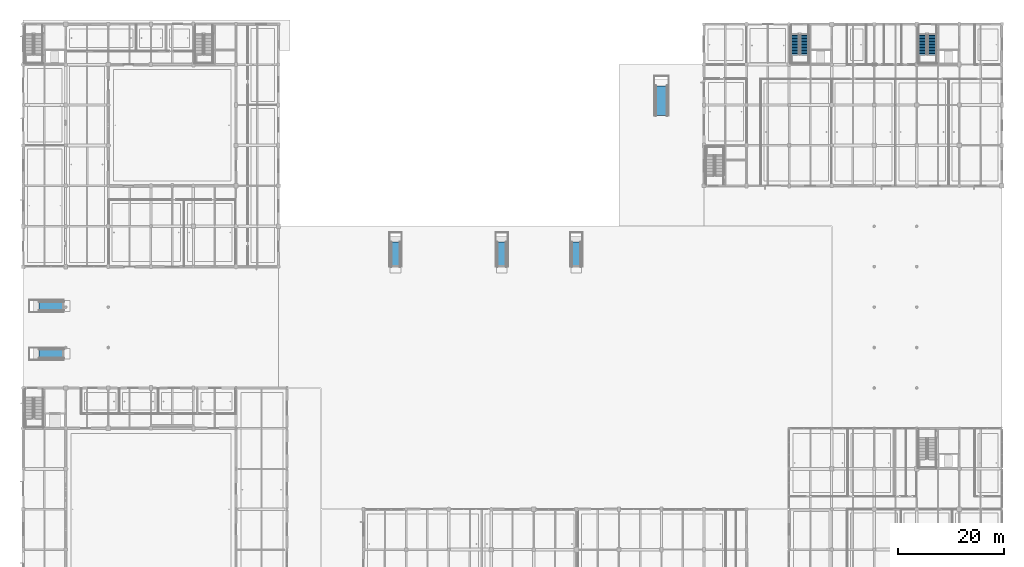
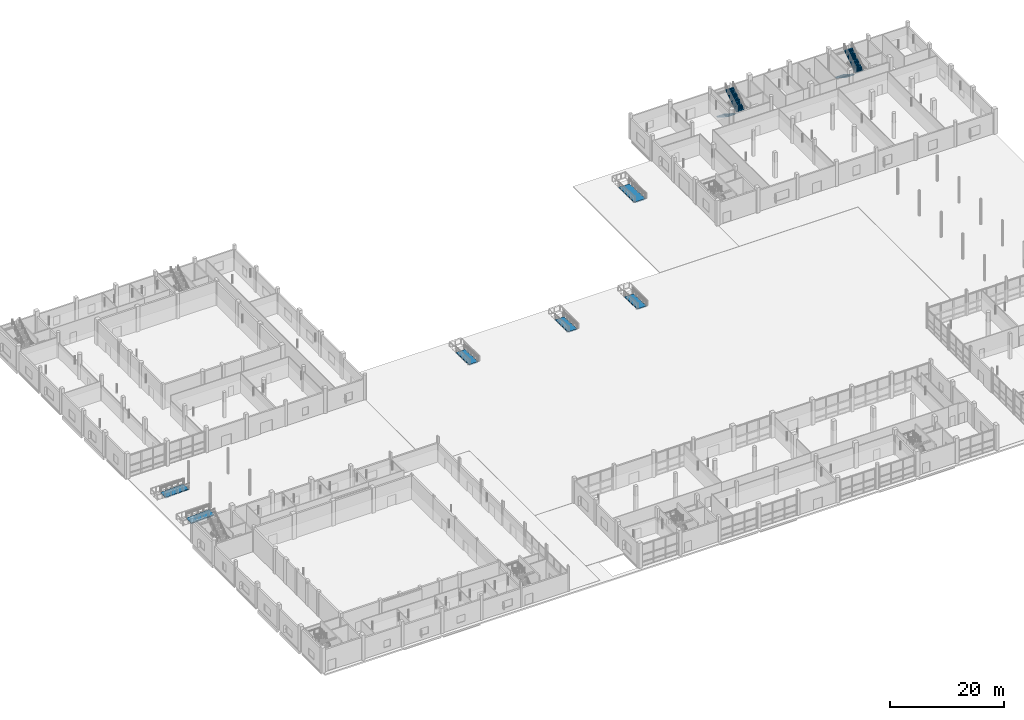
# One storey, part 73 of 126: 6 ramp flights, 4 stair flights, 8 elements without a shape of their own.
"""IFC4 building model written with IfcOpenShell, lengths in metres."""

import ifcopenshell
import ifcopenshell.guid

model = None  # the IFC model being written
_history = None  # IfcOwnerHistory: only IFC2X3 demands one
_inside = {}  # id of a spatial element -> (the spatial element, [elements in it])
_under = {}  # id of a project, library or spatial element -> (it, [spatial elements below it])
_declared = {}  # id of a project -> (the project, [libraries it declares])
_typed = {}  # id of a type object -> (the type object, [elements of that type])
_made_of = {}  # id of a material, layer set ... -> (it, [elements and type objects made of it])


def new_model(schema):
    """Start an empty IFC model of exactly this schema.

    Asked for "IFC4X3", IfcOpenShell would pick the latest addendum, in which some entities
    have other attributes; the version numbers below select the first issue.
    IFC2X3 requires an IfcOwnerHistory on every rooted entity: one is made here for all.
    """
    global model, _history
    if schema == "IFC4X3":
        model = ifcopenshell.file(schema_version=(4, 3, 0, 0))
    else:
        model = ifcopenshell.file(schema=schema)
    _inside.clear()
    _under.clear()
    _declared.clear()
    _typed.clear()
    _made_of.clear()
    _history = None
    if model.schema == "IFC2X3":
        org = make("IfcOrganization", Name="unknown")
        user = make(
            "IfcPersonAndOrganization",
            ThePerson=make("IfcPerson", FamilyName="unknown"),
            TheOrganization=org,
        )
        app = make(
            "IfcApplication",
            ApplicationDeveloper=org,
            Version="unknown",
            ApplicationFullName="unknown",
            ApplicationIdentifier="unknown",
        )
        _history = make(
            "IfcOwnerHistory",
            OwningUser=user,
            OwningApplication=app,
            ChangeAction="ADDED",
            CreationDate=0,
        )
    return model


def make(cls, **values):
    """One entity of the class cls with the attributes given. An attribute that is None is left unset."""
    return model.create_entity(
        cls, **{name: value for name, value in values.items() if value is not None}
    )


def rooted(cls, **values):
    """An entity with a GlobalId (a new one), such as an element, a storey or a relation."""
    return make(cls, GlobalId=ifcopenshell.guid.new(), OwnerHistory=_history, **values)


def si_unit(unit_type, name, prefix=None):
    """IfcSIUnit, for example si_unit("LENGTHUNIT", "METRE", prefix="MILLI")."""
    return make("IfcSIUnit", UnitType=unit_type, Prefix=prefix, Name=name)


def assignment(units):
    """IfcUnitAssignment: the units of a project."""
    return None if units is None else make("IfcUnitAssignment", Units=units)


def point(xyz):
    """IfcCartesianPoint."""
    return None if xyz is None else make("IfcCartesianPoint", Coordinates=xyz)


def direction(xyz):
    """IfcDirection."""
    return None if xyz is None else make("IfcDirection", DirectionRatios=xyz)


def frame(location, z_axis=None, x_axis=None):
    """IfcAxis2Placement3D, a coordinate frame: its origin and axes. An axis left out is left unset."""
    return make(
        "IfcAxis2Placement3D",
        Location=point(location),
        Axis=direction(z_axis),
        RefDirection=direction(x_axis),
    )


def origin():
    """The frame at (0, 0, 0) with its axes left unset."""
    return frame((0.0, 0.0, 0.0))


def place(relative_to, where):
    """IfcLocalPlacement: puts the frame where relative to a parent placement (None: the world)."""
    return make(
        "IfcLocalPlacement", PlacementRelTo=relative_to, RelativePlacement=where
    )


def context(
    kind, dimensions, precision=None, world=None, true_north=None, identifier=None
):
    """IfcGeometricRepresentationContext, for example the 3D "Model" context."""
    return make(
        "IfcGeometricRepresentationContext",
        ContextIdentifier=identifier,
        ContextType=kind,
        CoordinateSpaceDimension=dimensions,
        Precision=precision,
        WorldCoordinateSystem=world,
        TrueNorth=true_north,
    )


def subcontext(parent, identifier, kind, view, scale=None):
    """IfcGeometricRepresentationSubContext, for example "Body" below "Model"."""
    return make(
        "IfcGeometricRepresentationSubContext",
        ContextIdentifier=identifier,
        ContextType=kind,
        ParentContext=parent,
        TargetScale=scale,
        TargetView=view,
    )


def project(units=None, contexts=None):
    """IfcProject with its units and contexts."""
    return rooted(
        "IfcProject",
        Name="project",
        RepresentationContexts=contexts,
        UnitsInContext=assignment(units),
    )


def spatial(cls, under=None, at=None, **own):
    """A site, building, storey or space (cls), placed at a placement, below another one or the project."""
    s = rooted(cls, ObjectPlacement=at, **own)
    if under is not None:
        _under.setdefault(under.id(), (under, []))[1].append(s)
    return s


def polyline(points):
    """IfcPolyline through the points."""
    return make("IfcPolyline", Points=[point(p) for p in points])


def outline(outer, holes=None, kind="AREA"):
    """IfcArbitraryClosedProfileDef: a profile drawn as a closed curve; with holes, ...WithVoids."""
    if holes is None:
        return make("IfcArbitraryClosedProfileDef", ProfileType=kind, OuterCurve=outer)
    return make(
        "IfcArbitraryProfileDefWithVoids",
        ProfileType=kind,
        OuterCurve=outer,
        InnerCurves=holes,
    )


def extrude(swept, where, along, depth):
    """IfcExtrudedAreaSolid: the profile swept, set in the frame where, extruded along a direction by depth."""
    return make(
        "IfcExtrudedAreaSolid",
        SweptArea=swept,
        Position=where,
        ExtrudedDirection=direction(along),
        Depth=depth,
    )


def shape(context_of_items, identifier, shape_type, items):
    """IfcShapeRepresentation: the items that make up one representation, for example the "Body"."""
    return make(
        "IfcShapeRepresentation",
        ContextOfItems=context_of_items,
        RepresentationIdentifier=identifier,
        RepresentationType=shape_type,
        Items=items,
    )


def material(Name=None, Category=None):
    """IfcMaterial."""
    return make("IfcMaterial", Name=Name, Category=Category)


def layer(
    of_material, thickness, ventilated=None, Name=None, Category=None, Priority=None
):
    """IfcMaterialLayer: one layer of a wall or slab, of a material (None: an air gap)."""
    return make(
        "IfcMaterialLayer",
        Material=of_material,
        LayerThickness=thickness,
        IsVentilated=ventilated,
        Name=Name,
        Category=Category,
        Priority=Priority,
    )


def layer_set(layers, Name=None):
    """IfcMaterialLayerSet."""
    return make("IfcMaterialLayerSet", MaterialLayers=layers, LayerSetName=Name)


def made_of(thing, what):
    """Note that an element or type object is made of a material, layer set ...; save() writes the relation."""
    if what is not None:
        _made_of.setdefault(what.id(), (what, []))[1].append(thing)
    return thing


def type_object(cls, material=None, **own):
    """A type object (cls), such as IfcWallType, which elements share."""
    return made_of(rooted(cls, **own), material)


def element(
    cls,
    number,
    at=None,
    inside=None,
    cuts=None,
    type_object=None,
    material=None,
    context=None,
    identifier="Body",
    shape_type=None,
    held_by="IfcProductDefinitionShape",
    body=None,
    shapes=None,
    **own,
):
    """One element of the class cls, such as IfcWall. Its Tag is "e" and its number.

    at: its placement. inside: the storey or other place that contains it. cuts: it is an
    opening in that element (IfcRelVoidsElement). A single representation is given by context,
    identifier, shape_type and body (its items); several are given by shapes. held_by: the class
    of the entity that holds the representations. save() writes the other relations.
    """
    e = rooted(cls, Tag="e%d" % number, ObjectPlacement=at, **own)
    if body is not None:
        shapes = [shape(context, identifier, shape_type, body)]
    if shapes is not None:
        e.Representation = make(held_by, Representations=shapes)
    if inside is not None:
        _inside.setdefault(inside.id(), (inside, []))[1].append(e)
    if cuts is not None:
        rooted(
            "IfcRelVoidsElement", RelatingBuildingElement=cuts, RelatedOpeningElement=e
        )
    if type_object is not None:
        _typed.setdefault(type_object.id(), (type_object, []))[1].append(e)
    return made_of(e, material)


def aggregate(whole, parts):
    """IfcRelAggregates: a whole, such as a stair, and the parts it consists of."""
    return rooted("IfcRelAggregates", RelatingObject=whole, RelatedObjects=parts)


def save(model, path):
    """Write the relations noted so far, then the file.

    IfcRelAggregates (storeys below a building ...), IfcRelContainedInSpatialStructure (elements
    in a storey), IfcRelDefinesByType, IfcRelAssociatesMaterial and IfcRelDeclares: one each for
    every whole, place, type object, material and project.
    """
    for whole, parts in _under.values():
        aggregate(whole, parts)
    for where, things in _inside.values():
        rooted(
            "IfcRelContainedInSpatialStructure",
            RelatedElements=things,
            RelatingStructure=where,
        )
    for kind, things in _typed.values():
        rooted("IfcRelDefinesByType", RelatedObjects=things, RelatingType=kind)
    for what, things in _made_of.values():
        rooted("IfcRelAssociatesMaterial", RelatedObjects=things, RelatingMaterial=what)
    for by, libraries in _declared.values():
        rooted("IfcRelDeclares", RelatingContext=by, RelatedDefinitions=libraries)
    model.write(path)


model = new_model("IFC4")

# Units and contexts
model_context = context("Model", 3, precision=1e-05, world=origin(), true_north=direction((0.0, 1.0)))
body_context = subcontext(model_context, "Body", "Model", "MODEL_VIEW")
ifc_project = project(units=[si_unit("LENGTHUNIT", "METRE"), si_unit("AREAUNIT", "SQUARE_METRE"), si_unit("VOLUMEUNIT", "CUBIC_METRE"), si_unit("PLANEANGLEUNIT", "RADIAN"), si_unit("MASSUNIT", "GRAM", prefix="KILO")], contexts=[model_context])

# Site, building, storey
site_placement = place(None, origin())
site = spatial("IfcSite", under=ifc_project, at=site_placement, CompositionType="ELEMENT")
building_placement = place(site_placement, origin())
building = spatial("IfcBuilding", under=site, at=building_placement, Name="Khelvaren Railside Concert Hall", CompositionType="ELEMENT")
storey_placement = place(building_placement, origin())
storey = spatial("IfcBuildingStorey", under=building, at=storey_placement, Name="L00", CompositionType="ELEMENT", Elevation=0.0)

# Stair, stair flights
ifc_material_1 = material(Name="Concrete C40/50", Category="concrete")
stair_type = type_object("IfcStairType", Name="ST31", PredefinedType="HALF_TURN_STAIR", material=ifc_material_1)
stair_1_placement = place(storey_placement, origin())
stair_1 = element("IfcStair", 1, at=stair_1_placement, inside=storey, type_object=stair_type, Name="L00 Core Exit Stair ST-09", PredefinedType="HALF_TURN_STAIR")
stair_flight_type = type_object("IfcStairFlightType", Name="STF37", PredefinedType="STRAIGHT", material=ifc_material_1)
stair_flight_1_placement = place(storey_placement, frame((145.10009765625, 112.159912109375, 0.0), z_axis=(0.0, 0.0, 1.0), x_axis=(0.0, -1.0, 0.0)))
stair_flight_1 = element("IfcStairFlight", 2, at=stair_flight_1_placement, type_object=stair_flight_type, Name="ST-09 flight 1", NumberOfRisers=15, NumberOfTreads=14, PredefinedType="STRAIGHT", RiserHeight=0.18, TreadLength=0.28, context=body_context, shape_type="SweptSolid", body=[
    extrude(outline(polyline([(0.0, 0.0), (0.0, 0.179931640625), (0.280029296875, 0.179931640625), (0.280029296875, 0.360107421875), (0.56005859375, 0.360107421875), (0.56005859375, 0.5400390625), (0.840087890625, 0.5400390625), (0.840087890625, 0.719970703125), (1.1201171875, 0.719970703125), (1.1201171875, 0.89990234375), (1.39990234375, 0.89990234375), (1.39990234375, 1.080078125), (1.679931640625, 1.080078125), (1.679931640625, 1.260009765625), (1.9599609375, 1.260009765625), (1.9599609375, 1.43994140625), (2.239990234375, 1.43994140625), (2.239990234375, 1.6201171875), (2.52001953125, 1.6201171875), (2.52001953125, 1.800048828125), (2.800048828125, 1.800048828125), (2.800048828125, 1.97998046875), (3.080078125, 1.97998046875), (3.080078125, 2.159912109375), (3.360107421875, 2.159912109375), (3.360107421875, 2.340087890625), (3.639892578125, 2.340087890625), (3.639892578125, 2.52001953125), (3.919921875, 2.52001953125), (3.919921875, 2.699951171875), (3.919921875, 2.341796875), (0.277099609375, 0.0), (0.0, 0.0)])), frame((0.0, 0.800048828125, 0.0), z_axis=(0.0, -1.0, 0.0), x_axis=(1.0, 0.0, 0.0)), (0.0, 0.0, 1.0), 1.60009765625),
])
stair_flight_2_placement = place(storey_placement, frame((146.89990234375, 108.239990234375, 2.699951171875), z_axis=(0.0, 0.0, 1.0), x_axis=(0.0, 1.0, 0.0)))
stair_flight_2 = element("IfcStairFlight", 3, at=stair_flight_2_placement, type_object=stair_flight_type, Name="ST-09 flight 2", NumberOfRisers=15, NumberOfTreads=14, PredefinedType="STRAIGHT", RiserHeight=0.18, TreadLength=0.28, context=body_context, shape_type="SweptSolid", body=[
    extrude(outline(polyline([(0.0, 0.0), (0.0, 0.179931640625), (0.280029296875, 0.179931640625), (0.280029296875, 0.360107421875), (0.56005859375, 0.360107421875), (0.56005859375, 0.5400390625), (0.840087890625, 0.5400390625), (0.840087890625, 0.719970703125), (1.1201171875, 0.719970703125), (1.1201171875, 0.89990234375), (1.39990234375, 0.89990234375), (1.39990234375, 1.080078125), (1.679931640625, 1.080078125), (1.679931640625, 1.260009765625), (1.9599609375, 1.260009765625), (1.9599609375, 1.43994140625), (2.239990234375, 1.43994140625), (2.239990234375, 1.6201171875), (2.52001953125, 1.6201171875), (2.52001953125, 1.800048828125), (2.800048828125, 1.800048828125), (2.800048828125, 1.97998046875), (3.080078125, 1.97998046875), (3.080078125, 2.159912109375), (3.360107421875, 2.159912109375), (3.360107421875, 2.340087890625), (3.639892578125, 2.340087890625), (3.639892578125, 2.52001953125), (3.919921875, 2.52001953125), (3.919921875, 2.699951171875), (3.919921875, 2.341796875), (0.277099609375, 0.0), (0.0, 0.0)])), frame((0.0, 0.800048828125, 0.0), z_axis=(0.0, -1.0, 0.0), x_axis=(1.0, 0.0, 0.0)), (0.0, 0.0, 1.0), 1.60009765625),
])
aggregate(stair_1, [stair_flight_1, stair_flight_2])

stair_2_placement = place(storey_placement, origin())
stair_2 = element("IfcStair", 4, at=stair_2_placement, inside=storey, type_object=stair_type, Name="L00 Core Exit Stair ST-10", PredefinedType="HALF_TURN_STAIR")
stair_flight_3_placement = place(storey_placement, frame((169.10009765625, 112.159912109375, 0.0), z_axis=(0.0, 0.0, 1.0), x_axis=(0.0, -1.0, 0.0)))
stair_flight_3 = element("IfcStairFlight", 5, at=stair_flight_3_placement, type_object=stair_flight_type, Name="ST-10 flight 1", NumberOfRisers=15, NumberOfTreads=14, PredefinedType="STRAIGHT", RiserHeight=0.18, TreadLength=0.28, context=body_context, shape_type="SweptSolid", body=[
    extrude(outline(polyline([(0.0, 0.0), (0.0, 0.179931640625), (0.280029296875, 0.179931640625), (0.280029296875, 0.360107421875), (0.56005859375, 0.360107421875), (0.56005859375, 0.5400390625), (0.840087890625, 0.5400390625), (0.840087890625, 0.719970703125), (1.1201171875, 0.719970703125), (1.1201171875, 0.89990234375), (1.39990234375, 0.89990234375), (1.39990234375, 1.080078125), (1.679931640625, 1.080078125), (1.679931640625, 1.260009765625), (1.9599609375, 1.260009765625), (1.9599609375, 1.43994140625), (2.239990234375, 1.43994140625), (2.239990234375, 1.6201171875), (2.52001953125, 1.6201171875), (2.52001953125, 1.800048828125), (2.800048828125, 1.800048828125), (2.800048828125, 1.97998046875), (3.080078125, 1.97998046875), (3.080078125, 2.159912109375), (3.360107421875, 2.159912109375), (3.360107421875, 2.340087890625), (3.639892578125, 2.340087890625), (3.639892578125, 2.52001953125), (3.919921875, 2.52001953125), (3.919921875, 2.699951171875), (3.919921875, 2.341796875), (0.277099609375, 0.0), (0.0, 0.0)])), frame((0.0, 0.800048828125, 0.0), z_axis=(0.0, -1.0, 0.0), x_axis=(1.0, 0.0, 0.0)), (0.0, 0.0, 1.0), 1.60009765625),
])
stair_flight_4_placement = place(storey_placement, frame((170.89990234375, 108.239990234375, 2.699951171875), z_axis=(0.0, 0.0, 1.0), x_axis=(0.0, 1.0, 0.0)))
stair_flight_4 = element("IfcStairFlight", 6, at=stair_flight_4_placement, type_object=stair_flight_type, Name="ST-10 flight 2", NumberOfRisers=15, NumberOfTreads=14, PredefinedType="STRAIGHT", RiserHeight=0.18, TreadLength=0.28, context=body_context, shape_type="SweptSolid", body=[
    extrude(outline(polyline([(0.0, 0.0), (0.0, 0.179931640625), (0.280029296875, 0.179931640625), (0.280029296875, 0.360107421875), (0.56005859375, 0.360107421875), (0.56005859375, 0.5400390625), (0.840087890625, 0.5400390625), (0.840087890625, 0.719970703125), (1.1201171875, 0.719970703125), (1.1201171875, 0.89990234375), (1.39990234375, 0.89990234375), (1.39990234375, 1.080078125), (1.679931640625, 1.080078125), (1.679931640625, 1.260009765625), (1.9599609375, 1.260009765625), (1.9599609375, 1.43994140625), (2.239990234375, 1.43994140625), (2.239990234375, 1.6201171875), (2.52001953125, 1.6201171875), (2.52001953125, 1.800048828125), (2.800048828125, 1.800048828125), (2.800048828125, 1.97998046875), (3.080078125, 1.97998046875), (3.080078125, 2.159912109375), (3.360107421875, 2.159912109375), (3.360107421875, 2.340087890625), (3.639892578125, 2.340087890625), (3.639892578125, 2.52001953125), (3.919921875, 2.52001953125), (3.919921875, 2.699951171875), (3.919921875, 2.341796875), (0.277099609375, 0.0), (0.0, 0.0)])), frame((0.0, 0.800048828125, 0.0), z_axis=(0.0, -1.0, 0.0), x_axis=(1.0, 0.0, 0.0)), (0.0, 0.0, 1.0), 1.60009765625),
])
aggregate(stair_2, [stair_flight_3, stair_flight_4])

# Ramp, ramp flight
ifc_material_2 = material(Name="Brush-finished non-slip concrete C35/45", Category="concrete")
ramp_type = type_object("IfcRampType", Name="RMP23", PredefinedType="STRAIGHT_RUN_RAMP", material=ifc_material_2)
ramp_1_placement = place(storey_placement, origin())
ramp_1 = element("IfcRamp", 7, at=ramp_1_placement, inside=storey, type_object=ramp_type, Name="Accessible Threshold Ramp RMP-06", PredefinedType="STRAIGHT_RUN_RAMP")
ifc_layer_1 = layer(ifc_material_2, 0.219970703125)
ifc_layer_set_1 = layer_set([ifc_layer_1], Name="Brush-finished non-slip concrete C35/45")
ramp_flight_type_1 = type_object("IfcRampFlightType", Name="RMF52", PredefinedType="STRAIGHT", material=ifc_layer_set_1)
ramp_flight_1_placement = place(storey_placement, frame((120.0, 102.39990234375, -0.199951171875), z_axis=(0.0, 0.0, 1.0), x_axis=(0.0, -1.0, 0.0)))
ramp_flight_1 = element("IfcRampFlight", 8, at=ramp_flight_1_placement, type_object=ramp_flight_type_1, Name="Accessible Ramp Flight RMP-06", PredefinedType="STRAIGHT", context=body_context, shape_type="SweptSolid", body=[
    extrude(outline(polyline([(0.0, 0.0), (5.60009765625, 0.199951171875), (5.60009765625, -0.020263671875), (0.0, -0.22021484375), (0.0, 0.0)])), frame((0.0, 1.10009765625, 0.0), z_axis=(0.0, -1.0, 0.0), x_axis=(1.0, 0.0, 0.0)), (0.0, 0.0, 1.0), 2.199951171875),
])
aggregate(ramp_1, [ramp_flight_1])

ramp_2_placement = place(storey_placement, origin())
ramp_2 = element("IfcRamp", 9, at=ramp_2_placement, inside=storey, type_object=ramp_type, Name="Accessible Threshold Ramp RMP-01", PredefinedType="STRAIGHT_RUN_RAMP")
ifc_layer_2 = layer(ifc_material_2, 0.219970703125)
ifc_layer_set_2 = layer_set([ifc_layer_2], Name="Brush-finished non-slip concrete C35/45")
ramp_flight_type_2 = type_object("IfcRampFlightType", Name="RMF73", PredefinedType="STRAIGHT", material=ifc_layer_set_2)
ramp_flight_2_placement = place(storey_placement, frame((3.0, 52.0, -0.199951171875), z_axis=(0.0, 0.0, 1.0), x_axis=(1.0, 0.0, 0.0)))
ramp_flight_2 = element("IfcRampFlight", 10, at=ramp_flight_2_placement, type_object=ramp_flight_type_2, Name="Accessible Ramp Flight RMP-01", PredefinedType="STRAIGHT", context=body_context, shape_type="SweptSolid", body=[
    extrude(outline(polyline([(0.0, 0.0), (4.60009765625, 0.199951171875), (4.60009765625, -0.020263671875), (0.0, -0.22021484375), (0.0, 0.0)])), frame((0.0, 0.89990234375, 0.0), z_axis=(0.0, -1.0, 0.0), x_axis=(1.0, 0.0, 0.0)), (0.0, 0.0, 1.0), 1.800048828125),
])
aggregate(ramp_2, [ramp_flight_2])

ramp_3_placement = place(storey_placement, origin())
ramp_3 = element("IfcRamp", 11, at=ramp_3_placement, inside=storey, type_object=ramp_type, Name="Accessible Threshold Ramp RMP-02", PredefinedType="STRAIGHT_RUN_RAMP")
ramp_flight_3_placement = place(storey_placement, frame((3.0, 61.0, -0.199951171875), z_axis=(0.0, 0.0, 1.0), x_axis=(1.0, 0.0, 0.0)))
ramp_flight_3 = element("IfcRampFlight", 12, at=ramp_flight_3_placement, type_object=ramp_flight_type_2, Name="Accessible Ramp Flight RMP-02", PredefinedType="STRAIGHT", context=body_context, shape_type="SweptSolid", body=[
    extrude(outline(polyline([(0.0, 0.0), (4.60009765625, 0.199951171875), (4.60009765625, -0.020263671875), (0.0, -0.22021484375), (0.0, 0.0)])), frame((0.0, 0.89990234375, 0.0), z_axis=(0.0, -1.0, 0.0), x_axis=(1.0, 0.0, 0.0)), (0.0, 0.0, 1.0), 1.800048828125),
])
aggregate(ramp_3, [ramp_flight_3])

ramp_4_placement = place(storey_placement, origin())
ramp_4 = element("IfcRamp", 13, at=ramp_4_placement, inside=storey, type_object=ramp_type, Name="Accessible Threshold Ramp RMP-03", PredefinedType="STRAIGHT_RUN_RAMP")
ramp_flight_4_placement = place(storey_placement, frame((70.0, 73.0, -0.199951171875), z_axis=(0.0, 0.0, 1.0), x_axis=(0.0, -1.0, 0.0)))
ramp_flight_4 = element("IfcRampFlight", 14, at=ramp_flight_4_placement, type_object=ramp_flight_type_2, Name="Accessible Ramp Flight RMP-03", PredefinedType="STRAIGHT", context=body_context, shape_type="SweptSolid", body=[
    extrude(outline(polyline([(0.0, 0.0), (4.60009765625, 0.199951171875), (4.60009765625, -0.020263671875), (0.0, -0.22021484375), (0.0, 0.0)])), frame((0.0, 0.89990234375, 0.0), z_axis=(0.0, -1.0, 0.0), x_axis=(1.0, 0.0, 0.0)), (0.0, 0.0, 1.0), 1.800048828125),
])
aggregate(ramp_4, [ramp_flight_4])

ramp_5_placement = place(storey_placement, origin())
ramp_5 = element("IfcRamp", 15, at=ramp_5_placement, inside=storey, type_object=ramp_type, Name="Accessible Threshold Ramp RMP-04", PredefinedType="STRAIGHT_RUN_RAMP")
ramp_flight_5_placement = place(storey_placement, frame((90.0, 73.0, -0.199951171875), z_axis=(0.0, 0.0, 1.0), x_axis=(0.0, -1.0, 0.0)))
ramp_flight_5 = element("IfcRampFlight", 16, at=ramp_flight_5_placement, type_object=ramp_flight_type_2, Name="Accessible Ramp Flight RMP-04", PredefinedType="STRAIGHT", context=body_context, shape_type="SweptSolid", body=[
    extrude(outline(polyline([(0.0, 0.0), (4.60009765625, 0.199951171875), (4.60009765625, -0.020263671875), (0.0, -0.22021484375), (0.0, 0.0)])), frame((0.0, 0.89990234375, 0.0), z_axis=(0.0, -1.0, 0.0), x_axis=(1.0, 0.0, 0.0)), (0.0, 0.0, 1.0), 1.800048828125),
])
aggregate(ramp_5, [ramp_flight_5])

ramp_6_placement = place(storey_placement, origin())
ramp_6 = element("IfcRamp", 17, at=ramp_6_placement, inside=storey, type_object=ramp_type, Name="Accessible Threshold Ramp RMP-05", PredefinedType="STRAIGHT_RUN_RAMP")
ramp_flight_6_placement = place(storey_placement, frame((104.0, 73.0, -0.199951171875), z_axis=(0.0, 0.0, 1.0), x_axis=(0.0, -1.0, 0.0)))
ramp_flight_6 = element("IfcRampFlight", 18, at=ramp_flight_6_placement, type_object=ramp_flight_type_2, Name="Accessible Ramp Flight RMP-05", PredefinedType="STRAIGHT", context=body_context, shape_type="SweptSolid", body=[
    extrude(outline(polyline([(0.0, 0.0), (4.60009765625, 0.199951171875), (4.60009765625, -0.020263671875), (0.0, -0.22021484375), (0.0, 0.0)])), frame((0.0, 0.89990234375, 0.0), z_axis=(0.0, -1.0, 0.0), x_axis=(1.0, 0.0, 0.0)), (0.0, 0.0, 1.0), 1.800048828125),
])
aggregate(ramp_6, [ramp_flight_6])

save(model, "model.ifc")
